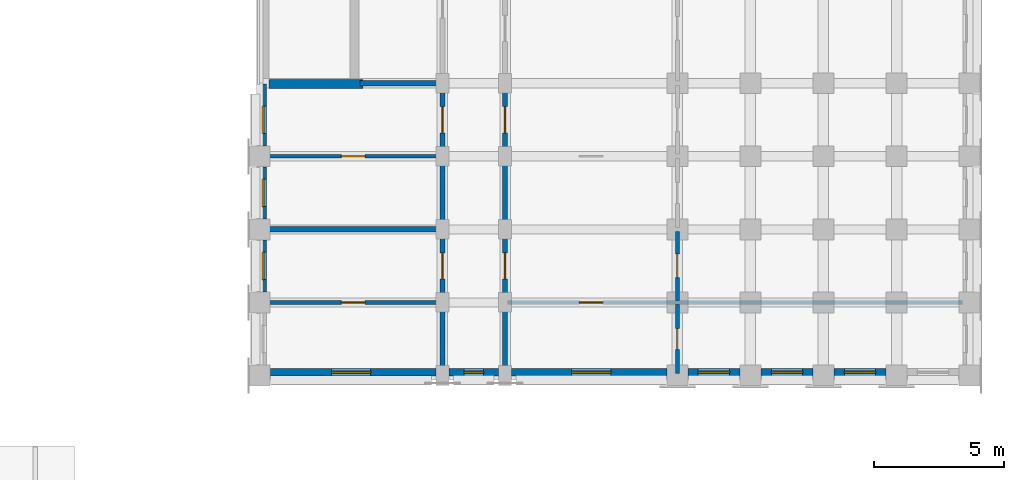
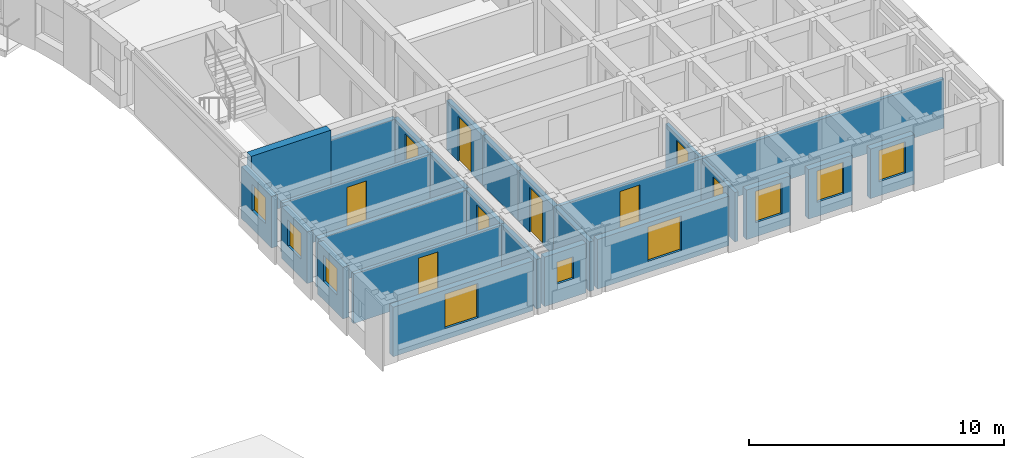
# One storey, part 51 of 76: 25 walls, 9 doors, 9 windows, 18 openings.
"""IFC4 building model written with IfcOpenShell, lengths in metres."""

from ifc_helpers import new_model, si_unit, direction, frame, frame_2d, origin, place, context, subcontext, project, spatial, rectangle, extrude, material, layer, layer_set, type_object, element, fill, save


model = new_model("IFC4")

# Units and contexts
model_context = context("Model", 3, precision=1e-05, world=origin(), true_north=direction((0.0, 1.0)))
body_context = subcontext(model_context, "Body", "Model", "MODEL_VIEW")
ifc_project = project(units=[si_unit("LENGTHUNIT", "METRE"), si_unit("AREAUNIT", "SQUARE_METRE"), si_unit("VOLUMEUNIT", "CUBIC_METRE"), si_unit("PLANEANGLEUNIT", "RADIAN"), si_unit("MASSUNIT", "GRAM", prefix="KILO")], contexts=[model_context])

# Site, building, storey
site_placement = place(None, origin())
site = spatial("IfcSite", under=ifc_project, at=site_placement, CompositionType="ELEMENT")
building_placement = place(site_placement, origin())
building = spatial("IfcBuilding", under=site, at=building_placement, Name="Kiranvali Square Residences", CompositionType="ELEMENT")
storey_placement = place(building_placement, frame((0.0, 0.0, 8.699951171875)))
storey = spatial("IfcBuildingStorey", under=building, at=storey_placement, Name="L02", CompositionType="ELEMENT", Elevation=8.699951171875)

# Wall, opening, door
ifc_material_1 = material(Name="Autoclaved aerated concrete blockwork masonry", Category="masonry")
ifc_layer_1 = layer(ifc_material_1, 0.199951171875)
ifc_layer_set_1 = layer_set([ifc_layer_1], Name="Autoclaved aerated concrete blockwork masonry")
wall_type_1 = type_object("IfcWallType", Name="WL-COR-200", PredefinedType="STANDARD", material=ifc_layer_set_1)
wall_1_placement = place(storey_placement, frame((145.60009765625, 79.39990234375, 0.0), z_axis=(0.0, 0.0, 1.0), x_axis=(0.0, -1.0, 0.0)))
wall_1 = element("IfcWall", 1, at=wall_1_placement, inside=storey, type_object=wall_type_1, Name="L02 architectural wall WL-L02-B-A2CI-0", PredefinedType="STANDARD", context=body_context, shape_type="SweptSolid", body=[
    extrude(rectangle(XDim=2.7998046875, YDim=0.199951171875, at=frame_2d((1.39990234375, 0.0))), origin(), (0.0, 0.0, 1.0), 2.3720703125),
])
opening_1_placement = place(wall_1_placement, frame((0.89990234375, 0.0, 0.0)))
opening_1 = element("IfcOpeningElement", 2, at=opening_1_placement, cuts=wall_1, Name="Opening FD-APT-60", PredefinedType="OPENING", context=body_context, shape_type="SweptSolid", body=[
    extrude(rectangle(XDim=1.0, YDim=2.14990234375, at=frame_2d((0.5, 1.074951171875))), frame((0.0, 0.10986328125, 0.0), z_axis=(0.0, -1.0, 0.0), x_axis=(1.0, 0.0, 0.0)), (0.0, 0.0, 1.0), 0.219970703125),
])
ifc_material_2 = material(Name="Fire-rated acoustic hardwood and mineral-core door assembly", Category="wood")
door_type_1 = type_object("IfcDoorType", Name="DR-APT-1000", OperationType="NOTDEFINED", PredefinedType="DOOR", material=ifc_material_2)
door_1_placement = place(opening_1_placement, frame((1.0, 0.0, 0.0), z_axis=(0.0, 0.0, 1.0), x_axis=(-1.0, 0.0, 0.0)))
door_1 = element("IfcDoor", 3, at=door_1_placement, inside=storey, type_object=door_type_1, Name="L02 door DR-L02-1116 (DR-APT-1000)", OperationType="SINGLE_SWING_RIGHT", OverallHeight=2.14990234375, OverallWidth=1.0, PredefinedType="DOOR", context=body_context, shape_type="SweptSolid", body=[
    extrude(rectangle(XDim=1.0, YDim=2.14990234375, at=frame_2d((0.5, 1.074951171875))), frame((0.0, 0.02490234375, 0.0), z_axis=(0.0, -1.0, 0.0), x_axis=(1.0, 0.0, 0.0)), (0.0, 0.0, 1.0), 0.050048828125),
])
fill(opening_1, door_1)

wall_2_placement = place(storey_placement, frame((148.0, 79.39990234375, 0.0), z_axis=(0.0, 0.0, 1.0), x_axis=(0.0, -1.0, 0.0)))
wall_2 = element("IfcWall", 4, at=wall_2_placement, inside=storey, type_object=wall_type_1, Name="L02 architectural wall WL-L02-B-A2CO-0", PredefinedType="STANDARD", context=body_context, shape_type="SweptSolid", body=[
    extrude(rectangle(XDim=2.7998046875, YDim=0.199951171875, at=frame_2d((1.39990234375, 0.0))), origin(), (0.0, 0.0, 1.0), 2.3720703125),
])
opening_2_placement = place(wall_2_placement, frame((0.89990234375, 0.0, 0.0)))
opening_2 = element("IfcOpeningElement", 5, at=opening_2_placement, cuts=wall_2, Name="Opening FD-APT-60", PredefinedType="OPENING", context=body_context, shape_type="SweptSolid", body=[
    extrude(rectangle(XDim=1.0, YDim=2.14990234375, at=frame_2d((0.5, 1.074951171875))), frame((0.0, 0.10986328125, 0.0), z_axis=(0.0, -1.0, 0.0), x_axis=(1.0, 0.0, 0.0)), (0.0, 0.0, 1.0), 0.219970703125),
])
door_2_placement = place(opening_2_placement, frame((1.0, 0.0, 0.0), z_axis=(0.0, 0.0, 1.0), x_axis=(-1.0, 0.0, 0.0)))
door_2 = element("IfcDoor", 6, at=door_2_placement, inside=storey, type_object=door_type_1, Name="L02 door DR-L02-1118 (DR-APT-1000)", OperationType="SINGLE_SWING_RIGHT", OverallHeight=2.14990234375, OverallWidth=1.0, PredefinedType="DOOR", context=body_context, shape_type="SweptSolid", body=[
    extrude(rectangle(XDim=1.0, YDim=2.14990234375, at=frame_2d((0.5, 1.074951171875))), frame((0.0, 0.02490234375, 0.0), z_axis=(0.0, -1.0, 0.0), x_axis=(1.0, 0.0, 0.0)), (0.0, 0.0, 1.0), 0.050048828125),
])
fill(opening_2, door_2)

# Walls
for number, where, z_axis, x_axis, name in (
    (7, (145.60009765625, 76.60009765625, 0.0), (0.0, 0.0, 1.0), (0.0, -1.0, 0.0), "L02 architectural wall WL-L02-B-A2CI-1"),
    (8, (148.0, 76.60009765625, 0.0), (0.0, 0.0, 1.0), (0.0, -1.0, 0.0), "L02 architectural wall WL-L02-B-A2CO-1"),
):
    element("IfcWall", number, at=place(storey_placement, frame(where, z_axis=z_axis, x_axis=x_axis)), inside=storey, type_object=wall_type_1, Name=name, PredefinedType="STANDARD", context=body_context, shape_type="SweptSolid", body=[
        extrude(rectangle(XDim=2.800048828125, YDim=0.199951171875, at=frame_2d((1.39990234375, 0.0))), origin(), (0.0, 0.0, 1.0), 2.3720703125),
    ])

# Wall, opening, door
wall_3_placement = place(storey_placement, frame((145.60009765625, 73.800048828125, 0.0), z_axis=(0.0, 0.0, 1.0), x_axis=(0.0, -1.0, 0.0)))
wall_3 = element("IfcWall", 9, at=wall_3_placement, inside=storey, type_object=wall_type_1, Name="L02 architectural wall WL-L02-B-A2CI-2", PredefinedType="STANDARD", context=body_context, shape_type="SweptSolid", body=[
    extrude(rectangle(XDim=2.800048828125, YDim=0.199951171875, at=frame_2d((1.39990234375, 0.0))), origin(), (0.0, 0.0, 1.0), 2.3720703125),
])
opening_3_placement = place(wall_3_placement, frame((0.89990234375, 0.0, 0.0)))
opening_3 = element("IfcOpeningElement", 10, at=opening_3_placement, cuts=wall_3, Name="Opening FD-APT-60", PredefinedType="OPENING", context=body_context, shape_type="SweptSolid", body=[
    extrude(rectangle(XDim=1.0, YDim=2.14990234375, at=frame_2d((0.5, 1.074951171875))), frame((0.0, 0.10986328125, 0.0), z_axis=(0.0, -1.0, 0.0), x_axis=(1.0, 0.0, 0.0)), (0.0, 0.0, 1.0), 0.219970703125),
])
door_3_placement = place(opening_3_placement, frame((1.0, 0.0, 0.0), z_axis=(0.0, 0.0, 1.0), x_axis=(-1.0, 0.0, 0.0)))
door_3 = element("IfcDoor", 11, at=door_3_placement, inside=storey, type_object=door_type_1, Name="L02 door DR-L02-1122 (DR-APT-1000)", OperationType="SINGLE_SWING_RIGHT", OverallHeight=2.14990234375, OverallWidth=1.0, PredefinedType="DOOR", context=body_context, shape_type="SweptSolid", body=[
    extrude(rectangle(XDim=1.0, YDim=2.14990234375, at=frame_2d((0.5, 1.074951171875))), frame((0.0, 0.02490234375, 0.0), z_axis=(0.0, -1.0, 0.0), x_axis=(1.0, 0.0, 0.0)), (0.0, 0.0, 1.0), 0.050048828125),
])
fill(opening_3, door_3)

wall_4_placement = place(storey_placement, frame((148.0, 73.800048828125, 0.0), z_axis=(0.0, 0.0, 1.0), x_axis=(0.0, -1.0, 0.0)))
wall_4 = element("IfcWall", 12, at=wall_4_placement, inside=storey, type_object=wall_type_1, Name="L02 architectural wall WL-L02-B-A2CO-2", PredefinedType="STANDARD", context=body_context, shape_type="SweptSolid", body=[
    extrude(rectangle(XDim=2.800048828125, YDim=0.199951171875, at=frame_2d((1.39990234375, 0.0))), origin(), (0.0, 0.0, 1.0), 2.3720703125),
])
opening_4_placement = place(wall_4_placement, frame((0.89990234375, 0.0, 0.0)))
opening_4 = element("IfcOpeningElement", 13, at=opening_4_placement, cuts=wall_4, Name="Opening FD-APT-60", PredefinedType="OPENING", context=body_context, shape_type="SweptSolid", body=[
    extrude(rectangle(XDim=1.0, YDim=2.14990234375, at=frame_2d((0.5, 1.074951171875))), frame((0.0, 0.10986328125, 0.0), z_axis=(0.0, -1.0, 0.0), x_axis=(1.0, 0.0, 0.0)), (0.0, 0.0, 1.0), 0.219970703125),
])
door_4_placement = place(opening_4_placement, frame((1.0, 0.0, 0.0), z_axis=(0.0, 0.0, 1.0), x_axis=(-1.0, 0.0, 0.0)))
door_4 = element("IfcDoor", 14, at=door_4_placement, inside=storey, type_object=door_type_1, Name="L02 door DR-L02-1124 (DR-APT-1000)", OperationType="SINGLE_SWING_RIGHT", OverallHeight=2.14990234375, OverallWidth=1.0, PredefinedType="DOOR", context=body_context, shape_type="SweptSolid", body=[
    extrude(rectangle(XDim=1.0, YDim=2.14990234375, at=frame_2d((0.5, 1.074951171875))), frame((0.0, 0.02490234375, 0.0), z_axis=(0.0, -1.0, 0.0), x_axis=(1.0, 0.0, 0.0)), (0.0, 0.0, 1.0), 0.050048828125),
])
fill(opening_4, door_4)

# Walls
for number, where, z_axis, x_axis, name in (
    (15, (145.60009765625, 71.0, 0.0), (0.0, 0.0, 1.0), (0.0, -1.0, 0.0), "L02 architectural wall WL-L02-B-A2CI-3"),
    (16, (148.0, 71.0, 0.0), (0.0, 0.0, 1.0), (0.0, -1.0, 0.0), "L02 architectural wall WL-L02-B-A2CO-3"),
):
    element("IfcWall", number, at=place(storey_placement, frame(where, z_axis=z_axis, x_axis=x_axis)), inside=storey, type_object=wall_type_1, Name=name, PredefinedType="STANDARD", context=body_context, shape_type="SweptSolid", body=[
        extrude(rectangle(XDim=2.800048828125, YDim=0.199951171875, at=frame_2d((1.39990234375, 0.0))), origin(), (0.0, 0.0, 1.0), 2.3720703125),
    ])
ifc_layer_2 = layer(ifc_material_1, 0.219970703125)
ifc_layer_set_2 = layer_set([ifc_layer_2], Name="Autoclaved aerated concrete blockwork masonry")
wall_type_2 = type_object("IfcWallType", Name="WL-DEM-220", PredefinedType="STANDARD", material=ifc_layer_set_2)
wall_5_placement = place(storey_placement, frame((142.449951171875, 79.39990234375, 0.0), z_axis=(0.0, 0.0, 1.0), x_axis=(1.0, 0.0, 0.0)))
element("IfcWall", 17, at=wall_5_placement, inside=storey, type_object=wall_type_2, Name="L02 architectural wall WL-L02-B-A2TI-0", PredefinedType="STANDARD", context=body_context, shape_type="SweptSolid", body=[
    extrude(rectangle(XDim=3.10009765625, YDim=0.219970703125, at=frame_2d((1.550048828125, 0.0))), origin(), (0.0, 0.0, 1.0), 2.3720703125),
])
wall_6_placement = place(storey_placement, frame((138.800048828125, 73.800048828125, 0.0), z_axis=(0.0, 0.0, 1.0), x_axis=(1.0, 0.0, 0.0)))
element("IfcWall", 18, at=wall_6_placement, inside=storey, type_object=wall_type_2, Name="L02 architectural wall WL-L02-B-A2TI-2", PredefinedType="STANDARD", context=body_context, shape_type="SweptSolid", body=[
    extrude(rectangle(XDim=6.75, YDim=0.219970703125, at=frame_2d((3.375, 0.0))), origin(), (0.0, 0.0, 1.0), 2.3720703125),
])

# Wall, opening, window
ifc_material_3 = material(Name="Breathable lime-rendered clay brick masonry", Category="masonry")
ifc_layer_3 = layer(ifc_material_3, 0.27490234375)
ifc_layer_set_3 = layer_set([ifc_layer_3], Name="Breathable lime-rendered clay brick masonry")
wall_type_3 = type_object("IfcWallType", Name="WL-EXT-275", PredefinedType="STANDARD", material=ifc_layer_set_3)
wall_7_placement = place(storey_placement, frame((138.72509765625, 79.37158203125, 0.0), z_axis=(0.0, 0.0, 1.0), x_axis=(0.0, -1.0, 0.0)))
wall_7 = element("IfcWall", 19, at=wall_7_placement, inside=storey, type_object=wall_type_3, Name="L02 exterior wall B-L02-A2I-0", PredefinedType="STANDARD", context=body_context, shape_type="SweptSolid", body=[
    extrude(rectangle(XDim=2.3681640625, YDim=0.27490234375, at=frame_2d((1.18408203125, 0.0))), origin(), (0.0, 0.0, 1.0), 2.47216796875),
])
opening_5_placement = place(wall_7_placement, frame((0.846435546875, 0.0, 0.8798828125)))
opening_5 = element("IfcOpeningElement", 20, at=opening_5_placement, cuts=wall_7, Name="Opening W-24", PredefinedType="OPENING", context=body_context, shape_type="SweptSolid", body=[
    extrude(rectangle(XDim=1.050048828125, YDim=1.25, at=frame_2d((0.52490234375, 0.625))), frame((0.0, 0.1474609375, 0.0), z_axis=(0.0, -1.0, 0.0), x_axis=(1.0, 0.0, 0.0)), (0.0, 0.0, 1.0), 0.294921875),
])
ifc_material_4 = material(Name="Solar-control low-e double glazing", Category="glass")
window_type_1 = type_object("IfcWindowType", Name="WIN-COR-1050x1250", PartitioningType="SINGLE_PANEL", PredefinedType="WINDOW", material=ifc_material_4)
window_1_placement = place(opening_5_placement, origin())
window_1 = element("IfcWindow", 21, at=window_1_placement, inside=storey, type_object=window_type_1, Name="L02 recessed window B-L02-A2I-0", OverallHeight=1.25, OverallWidth=1.050048828125, PartitioningType="SINGLE_PANEL", PredefinedType="WINDOW", context=body_context, shape_type="SweptSolid", body=[
    extrude(rectangle(XDim=1.050048828125, YDim=1.25, at=frame_2d((0.52490234375, 0.625))), frame((0.0, 0.030029296875, 0.0), z_axis=(0.0, -1.0, 0.0), x_axis=(1.0, 0.0, 0.0)), (0.0, 0.0, 1.0), 0.06005859375),
])
fill(opening_5, window_1)

wall_8_placement = place(storey_placement, frame((138.72509765625, 76.196533203125, 0.0), z_axis=(0.0, 0.0, 1.0), x_axis=(0.0, -1.0, 0.0)))
wall_8 = element("IfcWall", 22, at=wall_8_placement, inside=storey, type_object=wall_type_3, Name="L02 exterior wall B-L02-A2I-1", PredefinedType="STANDARD", context=body_context, shape_type="SweptSolid", body=[
    extrude(rectangle(XDim=1.992919921875, YDim=0.27490234375, at=frame_2d((0.99658203125, 0.0))), origin(), (0.0, 0.0, 1.0), 2.47216796875),
])
opening_6_placement = place(wall_8_placement, frame((0.471435546875, 0.0, 0.8798828125)))
opening_6 = element("IfcOpeningElement", 23, at=opening_6_placement, cuts=wall_8, Name="Opening W-24", PredefinedType="OPENING", context=body_context, shape_type="SweptSolid", body=[
    extrude(rectangle(XDim=1.050048828125, YDim=1.25, at=frame_2d((0.52490234375, 0.625))), frame((0.0, 0.1474609375, 0.0), z_axis=(0.0, -1.0, 0.0), x_axis=(1.0, 0.0, 0.0)), (0.0, 0.0, 1.0), 0.294921875),
])
window_2_placement = place(opening_6_placement, origin())
window_2 = element("IfcWindow", 24, at=window_2_placement, inside=storey, type_object=window_type_1, Name="L02 recessed window B-L02-A2I-1", OverallHeight=1.25, OverallWidth=1.050048828125, PartitioningType="SINGLE_PANEL", PredefinedType="WINDOW", context=body_context, shape_type="SweptSolid", body=[
    extrude(rectangle(XDim=1.050048828125, YDim=1.25, at=frame_2d((0.52490234375, 0.625))), frame((0.0, 0.030029296875, 0.0), z_axis=(0.0, -1.0, 0.0), x_axis=(1.0, 0.0, 0.0)), (0.0, 0.0, 1.0), 0.06005859375),
])
fill(opening_6, window_2)

wall_9_placement = place(storey_placement, frame((138.72509765625, 73.396484375, 0.0), z_axis=(0.0, 0.0, 1.0), x_axis=(0.0, -1.0, 0.0)))
wall_9 = element("IfcWall", 25, at=wall_9_placement, inside=storey, type_object=wall_type_3, Name="L02 exterior wall B-L02-A2I-2", PredefinedType="STANDARD", context=body_context, shape_type="SweptSolid", body=[
    extrude(rectangle(XDim=1.992919921875, YDim=0.27490234375, at=frame_2d((0.99658203125, 0.0))), origin(), (0.0, 0.0, 1.0), 2.47216796875),
])
opening_7_placement = place(wall_9_placement, frame((0.471435546875, 0.0, 0.8798828125)))
opening_7 = element("IfcOpeningElement", 26, at=opening_7_placement, cuts=wall_9, Name="Opening W-24", PredefinedType="OPENING", context=body_context, shape_type="SweptSolid", body=[
    extrude(rectangle(XDim=1.050048828125, YDim=1.25, at=frame_2d((0.52490234375, 0.625))), frame((0.0, 0.1474609375, 0.0), z_axis=(0.0, -1.0, 0.0), x_axis=(1.0, 0.0, 0.0)), (0.0, 0.0, 1.0), 0.294921875),
])
window_3_placement = place(opening_7_placement, origin())
window_3 = element("IfcWindow", 27, at=window_3_placement, inside=storey, type_object=window_type_1, Name="L02 recessed window B-L02-A2I-2", OverallHeight=1.25, OverallWidth=1.050048828125, PartitioningType="SINGLE_PANEL", PredefinedType="WINDOW", context=body_context, shape_type="SweptSolid", body=[
    extrude(rectangle(XDim=1.050048828125, YDim=1.25, at=frame_2d((0.52490234375, 0.625))), frame((0.0, 0.030029296875, 0.0), z_axis=(0.0, -1.0, 0.0), x_axis=(1.0, 0.0, 0.0)), (0.0, 0.0, 1.0), 0.06005859375),
])
fill(opening_7, window_3)

wall_10_placement = place(storey_placement, frame((139.00341796875, 68.324951171875, 0.0), z_axis=(0.0, 0.0, 1.0), x_axis=(1.0, 0.0, 0.0)))
wall_10 = element("IfcWall", 28, at=wall_10_placement, inside=storey, type_object=wall_type_3, Name="L02 exterior wall B-L02-A2END-0", PredefinedType="STANDARD", context=body_context, shape_type="SweptSolid", body=[
    extrude(rectangle(XDim=6.343017578125, YDim=0.27490234375, at=frame_2d((3.17138671875, 0.0))), origin(), (0.0, 0.0, 1.0), 2.3720703125),
])
opening_8_placement = place(wall_10_placement, frame((2.346435546875, 0.0, 0.52197265625)))
opening_8 = element("IfcOpeningElement", 29, at=opening_8_placement, cuts=wall_10, Name="Opening W-05", PredefinedType="OPENING", context=body_context, shape_type="SweptSolid", body=[
    extrude(rectangle(XDim=1.5, YDim=1.64990234375, at=frame_2d((0.75, 0.824951171875))), frame((0.0, 0.1474609375, 0.0), z_axis=(0.0, -1.0, 0.0), x_axis=(1.0, 0.0, 0.0)), (0.0, 0.0, 1.0), 0.294921875),
])
window_type_2 = type_object("IfcWindowType", Name="WIN-RES-1500x1650", PartitioningType="DOUBLE_PANEL_VERTICAL", PredefinedType="WINDOW", material=ifc_material_4)
window_4_placement = place(opening_8_placement, origin())
window_4 = element("IfcWindow", 30, at=window_4_placement, inside=storey, type_object=window_type_2, Name="L02 recessed window B-L02-A2END-0", OverallHeight=1.64990234375, OverallWidth=1.5, PartitioningType="DOUBLE_PANEL_VERTICAL", PredefinedType="WINDOW", context=body_context, shape_type="SweptSolid", body=[
    extrude(rectangle(XDim=1.5, YDim=1.64990234375, at=frame_2d((0.75, 0.824951171875))), frame((0.0, 0.030029296875, 0.0), z_axis=(0.0, -1.0, 0.0), x_axis=(1.0, 0.0, 0.0)), (0.0, 0.0, 1.0), 0.06005859375),
])
fill(opening_8, window_4)

wall_11_placement = place(storey_placement, frame((145.853515625, 68.324951171875, 0.0), z_axis=(0.0, 0.0, 1.0), x_axis=(1.0, 0.0, 0.0)))
wall_11 = element("IfcWall", 31, at=wall_11_placement, inside=storey, type_object=wall_type_3, Name="L02 exterior wall B-L02-A2END-1", PredefinedType="STANDARD", context=body_context, shape_type="SweptSolid", body=[
    extrude(rectangle(XDim=1.89306640625, YDim=0.27490234375, at=frame_2d((0.946533203125, 0.0))), origin(), (0.0, 0.0, 1.0), 2.3720703125),
])
opening_9_placement = place(wall_11_placement, frame((0.571533203125, 0.0, 0.8798828125)))
opening_9 = element("IfcOpeningElement", 32, at=opening_9_placement, cuts=wall_11, Name="Opening W-07", PredefinedType="OPENING", context=body_context, shape_type="SweptSolid", body=[
    extrude(rectangle(XDim=0.75, YDim=1.050048828125, at=frame_2d((0.375, 0.52490234375))), frame((0.0, 0.1474609375, 0.0), z_axis=(0.0, -1.0, 0.0), x_axis=(1.0, 0.0, 0.0)), (0.0, 0.0, 1.0), 0.294921875),
])
window_type_3 = type_object("IfcWindowType", Name="WIN-WET-750x1050", PartitioningType="SINGLE_PANEL", PredefinedType="WINDOW", material=ifc_material_4)
window_5_placement = place(opening_9_placement, origin())
window_5 = element("IfcWindow", 33, at=window_5_placement, inside=storey, type_object=window_type_3, Name="L02 recessed window B-L02-A2END-1", OverallHeight=1.050048828125, OverallWidth=0.75, PartitioningType="SINGLE_PANEL", PredefinedType="WINDOW", context=body_context, shape_type="SweptSolid", body=[
    extrude(rectangle(XDim=0.75, YDim=1.050048828125, at=frame_2d((0.375, 0.52490234375))), frame((0.0, 0.030029296875, 0.0), z_axis=(0.0, -1.0, 0.0), x_axis=(1.0, 0.0, 0.0)), (0.0, 0.0, 1.0), 0.06005859375),
])
fill(opening_9, window_5)

wall_12_placement = place(storey_placement, frame((148.25341796875, 68.324951171875, 0.0), z_axis=(0.0, 0.0, 1.0), x_axis=(1.0, 0.0, 0.0)))
wall_12 = element("IfcWall", 34, at=wall_12_placement, inside=storey, type_object=wall_type_3, Name="L02 exterior wall B-L02-A2END-2", PredefinedType="STANDARD", context=body_context, shape_type="SweptSolid", body=[
    extrude(rectangle(XDim=5.943115234375, YDim=0.27490234375, at=frame_2d((2.9716796875, 0.0))), origin(), (0.0, 0.0, 1.0), 2.3720703125),
])
opening_10_placement = place(wall_12_placement, frame((2.29638671875, 0.0, 0.52197265625)))
opening_10 = element("IfcOpeningElement", 35, at=opening_10_placement, cuts=wall_12, Name="Opening W-05", PredefinedType="OPENING", context=body_context, shape_type="SweptSolid", body=[
    extrude(rectangle(XDim=1.5, YDim=1.64990234375, at=frame_2d((0.75, 0.824951171875))), frame((0.0, 0.1474609375, 0.0), z_axis=(0.0, -1.0, 0.0), x_axis=(1.0, 0.0, 0.0)), (0.0, 0.0, 1.0), 0.294921875),
])
window_6_placement = place(opening_10_placement, origin())
window_6 = element("IfcWindow", 36, at=window_6_placement, inside=storey, type_object=window_type_2, Name="L02 recessed window B-L02-A2END-2", OverallHeight=1.64990234375, OverallWidth=1.5, PartitioningType="DOUBLE_PANEL_VERTICAL", PredefinedType="WINDOW", context=body_context, shape_type="SweptSolid", body=[
    extrude(rectangle(XDim=1.5, YDim=1.64990234375, at=frame_2d((0.75, 0.824951171875))), frame((0.0, 0.030029296875, 0.0), z_axis=(0.0, -1.0, 0.0), x_axis=(1.0, 0.0, 0.0)), (0.0, 0.0, 1.0), 0.06005859375),
])
fill(opening_10, window_6)

wall_13_placement = place(storey_placement, frame((155.00341796875, 68.324951171875, 0.0), z_axis=(0.0, 0.0, 1.0), x_axis=(1.0, 0.0, 0.0)))
wall_13 = element("IfcWall", 37, at=wall_13_placement, inside=storey, type_object=wall_type_3, Name="L02 exterior wall B-L02-A2END-3", PredefinedType="STANDARD", context=body_context, shape_type="SweptSolid", body=[
    extrude(rectangle(XDim=1.9931640625, YDim=0.27490234375, at=frame_2d((0.99658203125, 0.0))), origin(), (0.0, 0.0, 1.0), 2.3720703125),
])
opening_11_placement = place(wall_13_placement, frame((0.396484375, 0.0, 0.672119140625)))
opening_11 = element("IfcOpeningElement", 38, at=opening_11_placement, cuts=wall_13, Name="Opening W-06", PredefinedType="OPENING", context=body_context, shape_type="SweptSolid", body=[
    extrude(rectangle(XDim=1.199951171875, YDim=1.5, at=frame_2d((0.60009765625, 0.75))), frame((0.0, 0.1474609375, 0.0), z_axis=(0.0, -1.0, 0.0), x_axis=(1.0, 0.0, 0.0)), (0.0, 0.0, 1.0), 0.294921875),
])
window_type_4 = type_object("IfcWindowType", Name="WIN-RES-1200x1500", PartitioningType="SINGLE_PANEL", PredefinedType="WINDOW", material=ifc_material_4)
window_7_placement = place(opening_11_placement, origin())
window_7 = element("IfcWindow", 39, at=window_7_placement, inside=storey, type_object=window_type_4, Name="L02 recessed window B-L02-A2END-3", OverallHeight=1.5, OverallWidth=1.199951171875, PartitioningType="SINGLE_PANEL", PredefinedType="WINDOW", context=body_context, shape_type="SweptSolid", body=[
    extrude(rectangle(XDim=1.199951171875, YDim=1.5, at=frame_2d((0.60009765625, 0.75))), frame((0.0, 0.030029296875, 0.0), z_axis=(0.0, -1.0, 0.0), x_axis=(1.0, 0.0, 0.0)), (0.0, 0.0, 1.0), 0.06005859375),
])
fill(opening_11, window_7)

wall_14_placement = place(storey_placement, frame((157.803466796875, 68.324951171875, 0.0), z_axis=(0.0, 0.0, 1.0), x_axis=(1.0, 0.0, 0.0)))
wall_14 = element("IfcWall", 40, at=wall_14_placement, inside=storey, type_object=wall_type_3, Name="L02 exterior wall B-L02-A2END-4", PredefinedType="STANDARD", context=body_context, shape_type="SweptSolid", body=[
    extrude(rectangle(XDim=1.992919921875, YDim=0.27490234375, at=frame_2d((0.99658203125, 0.0))), origin(), (0.0, 0.0, 1.0), 2.3720703125),
])
opening_12_placement = place(wall_14_placement, frame((0.396484375, 0.0, 0.672119140625)))
opening_12 = element("IfcOpeningElement", 41, at=opening_12_placement, cuts=wall_14, Name="Opening W-06", PredefinedType="OPENING", context=body_context, shape_type="SweptSolid", body=[
    extrude(rectangle(XDim=1.199951171875, YDim=1.5, at=frame_2d((0.60009765625, 0.75))), frame((0.0, 0.1474609375, 0.0), z_axis=(0.0, -1.0, 0.0), x_axis=(1.0, 0.0, 0.0)), (0.0, 0.0, 1.0), 0.294921875),
])
window_8_placement = place(opening_12_placement, origin())
window_8 = element("IfcWindow", 42, at=window_8_placement, inside=storey, type_object=window_type_4, Name="L02 recessed window B-L02-A2END-4", OverallHeight=1.5, OverallWidth=1.199951171875, PartitioningType="SINGLE_PANEL", PredefinedType="WINDOW", context=body_context, shape_type="SweptSolid", body=[
    extrude(rectangle(XDim=1.199951171875, YDim=1.5, at=frame_2d((0.60009765625, 0.75))), frame((0.0, 0.030029296875, 0.0), z_axis=(0.0, -1.0, 0.0), x_axis=(1.0, 0.0, 0.0)), (0.0, 0.0, 1.0), 0.06005859375),
])
fill(opening_12, window_8)

wall_15_placement = place(storey_placement, frame((160.603515625, 68.324951171875, 0.0), z_axis=(0.0, 0.0, 1.0), x_axis=(1.0, 0.0, 0.0)))
wall_15 = element("IfcWall", 43, at=wall_15_placement, inside=storey, type_object=wall_type_3, Name="L02 exterior wall B-L02-A2END-5", PredefinedType="STANDARD", context=body_context, shape_type="SweptSolid", body=[
    extrude(rectangle(XDim=1.992919921875, YDim=0.27490234375, at=frame_2d((0.99658203125, 0.0))), origin(), (0.0, 0.0, 1.0), 2.3720703125),
])
opening_13_placement = place(wall_15_placement, frame((0.396484375, 0.0, 0.672119140625)))
opening_13 = element("IfcOpeningElement", 44, at=opening_13_placement, cuts=wall_15, Name="Opening W-06", PredefinedType="OPENING", context=body_context, shape_type="SweptSolid", body=[
    extrude(rectangle(XDim=1.199951171875, YDim=1.5, at=frame_2d((0.60009765625, 0.75))), frame((0.0, 0.1474609375, 0.0), z_axis=(0.0, -1.0, 0.0), x_axis=(1.0, 0.0, 0.0)), (0.0, 0.0, 1.0), 0.294921875),
])
window_9_placement = place(opening_13_placement, origin())
window_9 = element("IfcWindow", 45, at=window_9_placement, inside=storey, type_object=window_type_4, Name="L02 recessed window B-L02-A2END-5", OverallHeight=1.5, OverallWidth=1.199951171875, PartitioningType="SINGLE_PANEL", PredefinedType="WINDOW", context=body_context, shape_type="SweptSolid", body=[
    extrude(rectangle(XDim=1.199951171875, YDim=1.5, at=frame_2d((0.60009765625, 0.75))), frame((0.0, 0.030029296875, 0.0), z_axis=(0.0, -1.0, 0.0), x_axis=(1.0, 0.0, 0.0)), (0.0, 0.0, 1.0), 0.06005859375),
])
fill(opening_13, window_9)

# Wall, opening, door
ifc_material_5 = material(Name="Acoustic gypsum board drylined partition", Category="gypsum")
ifc_layer_4 = layer(ifc_material_5, 0.14990234375)
ifc_layer_set_4 = layer_set([ifc_layer_4], Name="Acoustic gypsum board drylined partition")
wall_type_4 = type_object("IfcWallType", Name="WL-PRT-150", PredefinedType="PARTITIONING", material=ifc_layer_set_4)
wall_16_placement = place(storey_placement, frame((138.800048828125, 76.60009765625, 0.0), z_axis=(0.0, 0.0, 1.0), x_axis=(1.0, 0.0, 0.0)))
wall_16 = element("IfcWall", 46, at=wall_16_placement, inside=storey, type_object=wall_type_4, Name="L02 architectural wall WL-L02-B-A2TI-1", PredefinedType="PARTITIONING", context=body_context, shape_type="SweptSolid", body=[
    extrude(rectangle(XDim=6.75, YDim=0.14990234375, at=frame_2d((3.375, 0.0))), origin(), (0.0, 0.0, 1.0), 2.3720703125),
])
opening_14_placement = place(wall_16_placement, frame((2.925048828125, 0.0, 0.0)))
opening_14 = element("IfcOpeningElement", 47, at=opening_14_placement, cuts=wall_16, Name="Opening ID-1", PredefinedType="OPENING", context=body_context, shape_type="SweptSolid", body=[
    extrude(rectangle(XDim=0.89990234375, YDim=2.10009765625, at=frame_2d((0.449951171875, 1.050048828125))), frame((0.0, 0.0849609375, 0.0), z_axis=(0.0, -1.0, 0.0), x_axis=(1.0, 0.0, 0.0)), (0.0, 0.0, 1.0), 0.169921875),
])
ifc_material_6 = material(Name="Solid seasoned teak hardwood joinery", Category="wood")
door_type_2 = type_object("IfcDoorType", Name="DR-INT-900", OperationType="NOTDEFINED", PredefinedType="DOOR", material=ifc_material_6)
door_5_placement = place(opening_14_placement, frame((0.89990234375, 0.0, 0.0), z_axis=(0.0, 0.0, 1.0), x_axis=(-1.0, 0.0, 0.0)))
door_5 = element("IfcDoor", 48, at=door_5_placement, inside=storey, type_object=door_type_2, Name="L02 door DR-L02-1120 (DR-INT-900)", OperationType="SINGLE_SWING_RIGHT", OverallHeight=2.10009765625, OverallWidth=0.89990234375, PredefinedType="DOOR", context=body_context, shape_type="SweptSolid", body=[
    extrude(rectangle(XDim=0.89990234375, YDim=2.10009765625, at=frame_2d((0.449951171875, 1.050048828125))), frame((0.0, 0.02490234375, 0.0), z_axis=(0.0, -1.0, 0.0), x_axis=(1.0, 0.0, 0.0)), (0.0, 0.0, 1.0), 0.050048828125),
])
fill(opening_14, door_5)

wall_17_placement = place(storey_placement, frame((138.800048828125, 71.0, 0.0), z_axis=(0.0, 0.0, 1.0), x_axis=(1.0, 0.0, 0.0)))
wall_17 = element("IfcWall", 49, at=wall_17_placement, inside=storey, type_object=wall_type_4, Name="L02 architectural wall WL-L02-B-A2TI-3", PredefinedType="PARTITIONING", context=body_context, shape_type="SweptSolid", body=[
    extrude(rectangle(XDim=6.75, YDim=0.14990234375, at=frame_2d((3.375, 0.0))), origin(), (0.0, 0.0, 1.0), 2.3720703125),
])
opening_15_placement = place(wall_17_placement, frame((2.925048828125, 0.0, 0.0)))
opening_15 = element("IfcOpeningElement", 50, at=opening_15_placement, cuts=wall_17, Name="Opening ID-1", PredefinedType="OPENING", context=body_context, shape_type="SweptSolid", body=[
    extrude(rectangle(XDim=0.89990234375, YDim=2.10009765625, at=frame_2d((0.449951171875, 1.050048828125))), frame((0.0, 0.0849609375, 0.0), z_axis=(0.0, -1.0, 0.0), x_axis=(1.0, 0.0, 0.0)), (0.0, 0.0, 1.0), 0.169921875),
])
door_6_placement = place(opening_15_placement, frame((0.89990234375, 0.0, 0.0), z_axis=(0.0, 0.0, 1.0), x_axis=(-1.0, 0.0, 0.0)))
door_6 = element("IfcDoor", 51, at=door_6_placement, inside=storey, type_object=door_type_2, Name="L02 door DR-L02-1126 (DR-INT-900)", OperationType="SINGLE_SWING_RIGHT", OverallHeight=2.10009765625, OverallWidth=0.89990234375, PredefinedType="DOOR", context=body_context, shape_type="SweptSolid", body=[
    extrude(rectangle(XDim=0.89990234375, YDim=2.10009765625, at=frame_2d((0.449951171875, 1.050048828125))), frame((0.0, 0.02490234375, 0.0), z_axis=(0.0, -1.0, 0.0), x_axis=(1.0, 0.0, 0.0)), (0.0, 0.0, 1.0), 0.050048828125),
])
fill(opening_15, door_6)

wall_18_placement = place(storey_placement, frame((148.10009765625, 71.0, 0.0), z_axis=(0.0, 0.0, 1.0), x_axis=(1.0, 0.0, 0.0)))
wall_18 = element("IfcWall", 52, at=wall_18_placement, inside=storey, type_object=wall_type_4, Name="L02 architectural wall WL-L02-B-A2TO-3", PredefinedType="PARTITIONING", context=body_context, shape_type="SweptSolid", body=[
    extrude(rectangle(XDim=17.419921875, YDim=0.14990234375, at=frame_2d((8.7099609375, 0.0))), origin(), (0.0, 0.0, 1.0), 2.3720703125),
])
opening_16_placement = place(wall_18_placement, frame((2.75, 0.0, 0.0)))
opening_16 = element("IfcOpeningElement", 53, at=opening_16_placement, cuts=wall_18, Name="Opening ID-1", PredefinedType="OPENING", context=body_context, shape_type="SweptSolid", body=[
    extrude(rectangle(XDim=0.89990234375, YDim=2.10009765625, at=frame_2d((0.449951171875, 1.050048828125))), frame((0.0, 0.0849609375, 0.0), z_axis=(0.0, -1.0, 0.0), x_axis=(1.0, 0.0, 0.0)), (0.0, 0.0, 1.0), 0.169921875),
])
door_7_placement = place(opening_16_placement, origin())
door_7 = element("IfcDoor", 54, at=door_7_placement, inside=storey, type_object=door_type_2, Name="L02 door DR-L02-1127 (DR-INT-900)", OperationType="SINGLE_SWING_LEFT", OverallHeight=2.10009765625, OverallWidth=0.89990234375, PredefinedType="DOOR", context=body_context, shape_type="SweptSolid", body=[
    extrude(rectangle(XDim=0.89990234375, YDim=2.10009765625, at=frame_2d((0.449951171875, 1.050048828125))), frame((0.0, 0.02490234375, 0.0), z_axis=(0.0, -1.0, 0.0), x_axis=(1.0, 0.0, 0.0)), (0.0, 0.0, 1.0), 0.050048828125),
])
fill(opening_16, door_7)

# Wall
ifc_material_7 = material(Name="Concrete M50 (50 MPa)", Category="concrete")
ifc_layer_5 = layer(ifc_material_7, 0.35009765625)
ifc_layer_set_5 = layer_set([ifc_layer_5], Name="Concrete M50 (50 MPa)")
wall_type_5 = type_object("IfcWallType", Name="WL-SHR-350", PredefinedType="SHEAR", material=ifc_layer_set_5)
wall_19_placement = place(storey_placement, frame((138.949951171875, 79.375, 0.0), z_axis=(0.0, 0.0, 1.0), x_axis=(1.0, 0.0, 0.0)))
element("IfcWall", 55, at=wall_19_placement, inside=storey, type_object=wall_type_5, Name="Block B core shear wall SW-B3-FAR-L02", PredefinedType="SHEAR", context=body_context, shape_type="SweptSolid", body=[
    extrude(rectangle(XDim=3.60009765625, YDim=0.35009765625, at=frame_2d((1.800048828125, 0.0))), origin(), (0.0, 0.0, 1.0), 2.929931640625),
])

# Wall, opening, door
ifc_layer_6 = layer(ifc_material_1, 0.14990234375)
ifc_layer_set_6 = layer_set([ifc_layer_6], Name="Autoclaved aerated concrete blockwork masonry")
wall_type_6 = type_object("IfcWallType", Name="WL-WET-150", PredefinedType="PLUMBINGWALL", material=ifc_layer_set_6)
wall_20_placement = place(storey_placement, frame((154.60009765625, 73.719970703125, 0.0), z_axis=(0.0, 0.0, 1.0), x_axis=(0.0, -1.0, 0.0)))
wall_20 = element("IfcWall", 56, at=wall_20_placement, inside=storey, type_object=wall_type_6, Name="L02 architectural wall WL-L02-B-A2SP-2", PredefinedType="PLUMBINGWALL", context=body_context, shape_type="SweptSolid", body=[
    extrude(rectangle(XDim=2.639892578125, YDim=0.14990234375, at=frame_2d((1.31982421875, 0.0))), origin(), (0.0, 0.0, 1.0), 2.3720703125),
])
opening_17_placement = place(wall_20_placement, frame((0.8701171875, 0.0, 0.0)))
opening_17 = element("IfcOpeningElement", 57, at=opening_17_placement, cuts=wall_20, Name="Opening ID-1", PredefinedType="OPENING", context=body_context, shape_type="SweptSolid", body=[
    extrude(rectangle(XDim=0.89990234375, YDim=2.10009765625, at=frame_2d((0.449951171875, 1.050048828125))), frame((0.0, 0.0849609375, 0.0), z_axis=(0.0, -1.0, 0.0), x_axis=(1.0, 0.0, 0.0)), (0.0, 0.0, 1.0), 0.169921875),
])
door_8_placement = place(opening_17_placement, origin())
door_8 = element("IfcDoor", 58, at=door_8_placement, inside=storey, type_object=door_type_2, Name="L02 door DR-L02-1123 (DR-INT-900)", OperationType="SINGLE_SWING_LEFT", OverallHeight=2.10009765625, OverallWidth=0.89990234375, PredefinedType="DOOR", context=body_context, shape_type="SweptSolid", body=[
    extrude(rectangle(XDim=0.89990234375, YDim=2.10009765625, at=frame_2d((0.449951171875, 1.050048828125))), frame((0.0, 0.02490234375, 0.0), z_axis=(0.0, -1.0, 0.0), x_axis=(1.0, 0.0, 0.0)), (0.0, 0.0, 1.0), 0.050048828125),
])
fill(opening_17, door_8)

wall_21_placement = place(storey_placement, frame((154.60009765625, 70.919921875, 0.0), z_axis=(0.0, 0.0, 1.0), x_axis=(0.0, -1.0, 0.0)))
wall_21 = element("IfcWall", 59, at=wall_21_placement, inside=storey, type_object=wall_type_6, Name="L02 architectural wall WL-L02-B-A2SP-3", PredefinedType="PLUMBINGWALL", context=body_context, shape_type="SweptSolid", body=[
    extrude(rectangle(XDim=2.639892578125, YDim=0.14990234375, at=frame_2d((1.31982421875, 0.0))), origin(), (0.0, 0.0, 1.0), 2.3720703125),
])
opening_18_placement = place(wall_21_placement, frame((0.919921875, 0.0, 0.0)))
opening_18 = element("IfcOpeningElement", 60, at=opening_18_placement, cuts=wall_21, Name="Opening ID-WET", PredefinedType="OPENING", context=body_context, shape_type="SweptSolid", body=[
    extrude(rectangle(XDim=0.800048828125, YDim=2.10009765625, at=frame_2d((0.39990234375, 1.050048828125))), frame((0.0, 0.0849609375, 0.0), z_axis=(0.0, -1.0, 0.0), x_axis=(1.0, 0.0, 0.0)), (0.0, 0.0, 1.0), 0.169921875),
])
door_type_3 = type_object("IfcDoorType", Name="DR-WET-800", OperationType="NOTDEFINED", PredefinedType="DOOR", material=ifc_material_6)
door_9_placement = place(opening_18_placement, origin())
door_9 = element("IfcDoor", 61, at=door_9_placement, inside=storey, type_object=door_type_3, Name="L02 door DR-L02-1125 (DR-WET-800)", OperationType="SINGLE_SWING_LEFT", OverallHeight=2.10009765625, OverallWidth=0.800048828125, PredefinedType="DOOR", context=body_context, shape_type="SweptSolid", body=[
    extrude(rectangle(XDim=0.800048828125, YDim=2.10009765625, at=frame_2d((0.39990234375, 1.050048828125))), frame((0.0, 0.02490234375, 0.0), z_axis=(0.0, -1.0, 0.0), x_axis=(1.0, 0.0, 0.0)), (0.0, 0.0, 1.0), 0.050048828125),
])
fill(opening_18, door_9)

save(model, "model.ifc")
